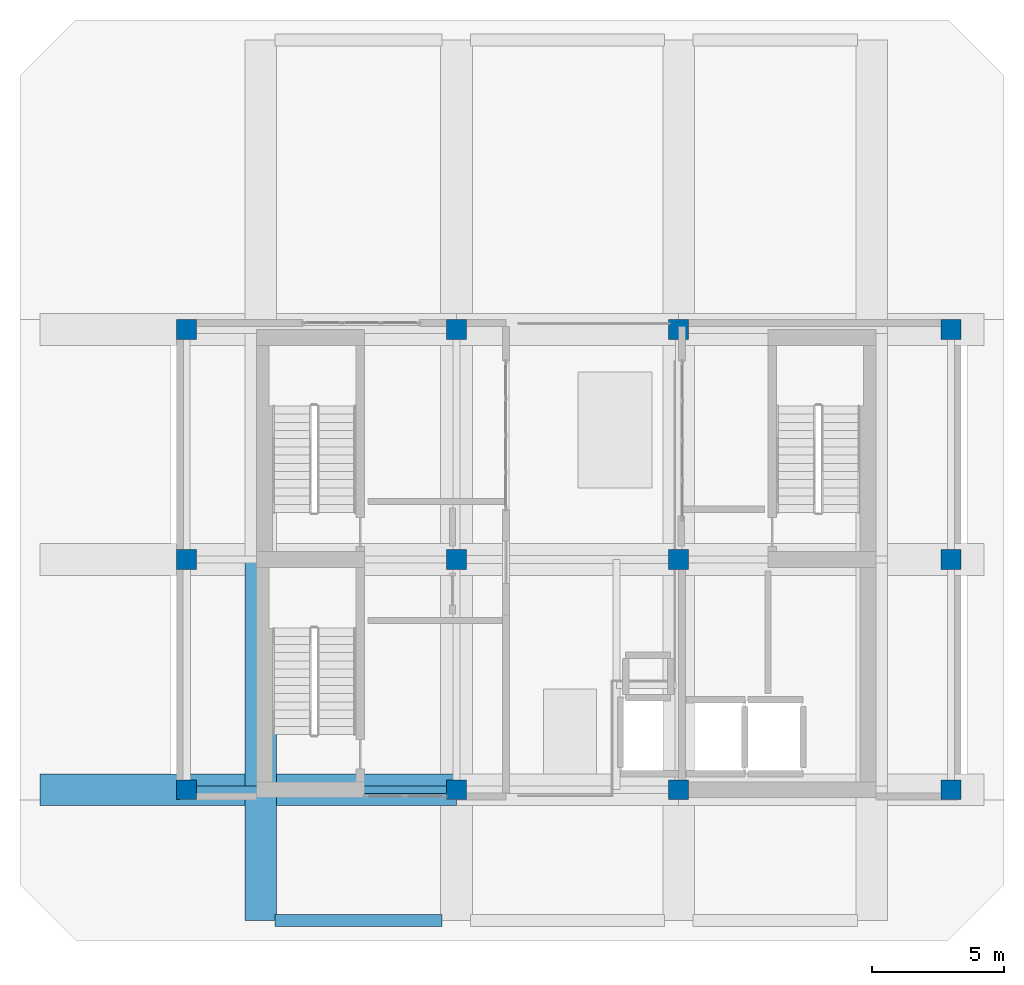
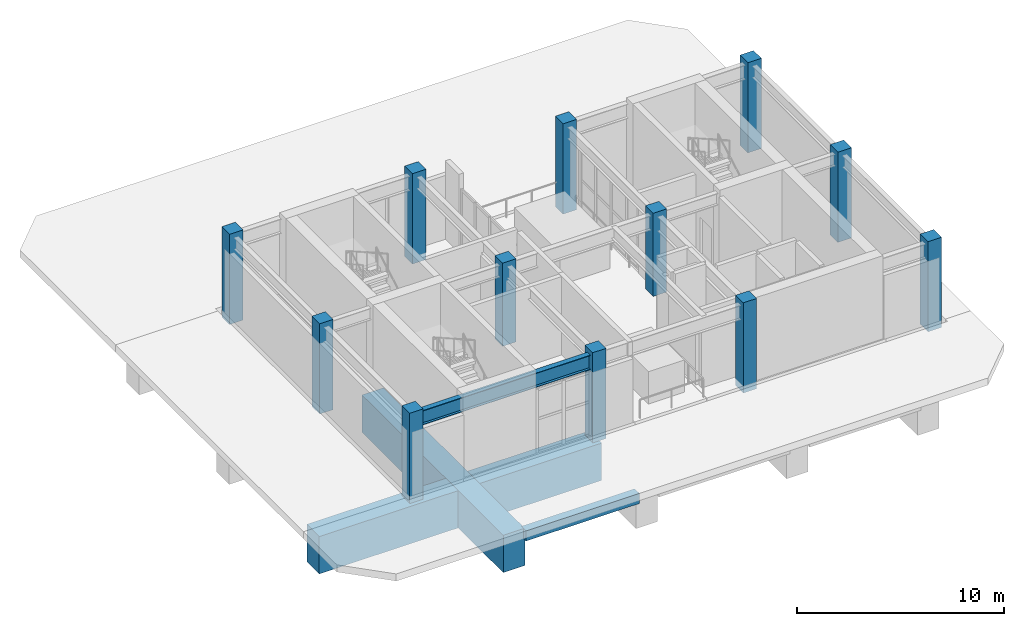
# One storey, part 1 of 16: 12 columns, 5 beams.
"""IFC4 building model written with IfcOpenShell, lengths in metres."""

from ifc_helpers import new_model, si_unit, direction, frame, origin, origin_2d, place, context, subcontext, project, spatial, rectangle, i_section, extrude, material, material_profile, profile_set, type_object, element, save


model = new_model("IFC4")

# Units and contexts
model_context = context("Model", 3, precision=1e-05, world=origin(), true_north=direction((0.0, 1.0)))
body_context = subcontext(model_context, "Body", "Model", "MODEL_VIEW")
ifc_project = project(units=[si_unit("LENGTHUNIT", "METRE"), si_unit("AREAUNIT", "SQUARE_METRE"), si_unit("VOLUMEUNIT", "CUBIC_METRE"), si_unit("PLANEANGLEUNIT", "RADIAN"), si_unit("MASSUNIT", "GRAM", prefix="KILO")], contexts=[model_context])

# Site, building, storey
site_placement = place(None, origin())
site = spatial("IfcSite", under=ifc_project, at=site_placement, CompositionType="ELEMENT")
building_placement = place(site_placement, origin())
building = spatial("IfcBuilding", under=site, at=building_placement, Name="Solanera Arch Residences", CompositionType="ELEMENT")
storey_placement = place(building_placement, frame((0.0, 0.0, 278.080078125)))
storey = spatial("IfcBuildingStorey", under=building, at=storey_placement, Name="L80", CompositionType="ELEMENT", Elevation=278.080078125)

# Columns
ifc_material_1 = material(Name="Concrete C40/50 (f'c = 45 MPa)", Category="concrete")
ifc_material_profile_1 = material_profile(ifc_material_1, rectangle(XDim=0.75, YDim=0.75, at=origin_2d()))
ifc_profile_set_1 = profile_set([ifc_material_profile_1], Name="Concrete C40/50 (f'c = 45 MPa)")
column_type = type_object("IfcColumnType", Name="Structural Column RC-COL-750X750", PredefinedType="COLUMN", material=ifc_profile_set_1)
for number, where, z_axis, x_axis, name in (
    (1, (20.800048828125, 30.699951171875, 0.0), (0.0, 0.0, 1.0), (1.0, 0.0, 0.0), "COL-L80-CORE-W"),
    (2, (29.199951171875, 30.699951171875, 0.0), (0.0, 0.0, 1.0), (1.0, 0.0, 0.0), "COL-L80-CORE-E"),
):
    element("IfcColumn", number, at=place(storey_placement, frame(where, z_axis=z_axis, x_axis=x_axis)), inside=storey, type_object=column_type, Name=name, PredefinedType="COLUMN", context=body_context, shape_type="SweptSolid", body=[
        extrude(rectangle(XDim=0.75, YDim=0.75, at=origin_2d()), origin(), (0.0, 0.0, 1.0), 4.89990234375),
    ])
for number, where, z_axis, x_axis, name in (
    (3, (10.60009765625, 22.0, -0.420166015625), (0.0, 0.0, 1.0), (1.0, 0.0, 0.0), "COL-L80-CRN-01"),
    (4, (20.800048828125, 22.0, -0.420166015625), (0.0, 0.0, 1.0), (1.0, 0.0, 0.0), "COL-L80-CRN-02"),
    (5, (10.60009765625, 30.699951171875, -0.420166015625), (0.0, 0.0, 1.0), (1.0, 0.0, 0.0), "COL-L80-CRN-03"),
    (6, (10.60009765625, 39.39990234375, -0.420166015625), (0.0, 0.0, 1.0), (1.0, 0.0, 0.0), "COL-L80-CRN-04"),
    (7, (20.800048828125, 39.39990234375, -0.420166015625), (0.0, 0.0, 1.0), (1.0, 0.0, 0.0), "COL-L80-CRN-05"),
    (8, (29.199951171875, 22.0, -0.420166015625), (0.0, 0.0, 1.0), (1.0, 0.0, 0.0), "COL-L80-CRN-06"),
    (9, (39.5, 22.0, -0.420166015625), (0.0, 0.0, 1.0), (1.0, 0.0, 0.0), "COL-L80-CRN-07"),
    (10, (39.5, 30.699951171875, -0.420166015625), (0.0, 0.0, 1.0), (1.0, 0.0, 0.0), "COL-L80-CRN-08"),
    (11, (29.199951171875, 39.39990234375, -0.420166015625), (0.0, 0.0, 1.0), (1.0, 0.0, 0.0), "COL-L80-CRN-09"),
    (12, (39.5, 39.39990234375, -0.420166015625), (0.0, 0.0, 1.0), (1.0, 0.0, 0.0), "COL-L80-CRN-10"),
):
    element("IfcColumn", number, at=place(storey_placement, frame(where, z_axis=z_axis, x_axis=x_axis)), inside=storey, type_object=column_type, Name=name, PredefinedType="COLUMN", context=body_context, shape_type="SweptSolid", body=[
        extrude(rectangle(XDim=0.75, YDim=0.75, at=origin_2d()), origin(), (0.0, 0.0, 1.0), 5.320068359375),
    ])

# Beams
ifc_material_2 = material(Name="Steel S355 (ASTM A992 / A572 Grade 50)", Category="steel")
ifc_material_profile_2 = material_profile(ifc_material_2, i_section(OverallWidth=0.2939453125, OverallDepth=0.85107421875, WebThickness=0.01611328125, FlangeThickness=0.02685546875, at=origin_2d()))
ifc_profile_set_2 = profile_set([ifc_material_profile_2], Name="Steel S355 (ASTM A992 / A572 Grade 50)")
beam_type_1 = type_object("IfcBeamType", Name="Primary Beam W840X226", PredefinedType="BEAM", material=ifc_profile_set_2)
beam_1_placement = place(storey_placement, frame((10.97509765625, 22.0, 4.19384765625), z_axis=(1.0, 0.0, 0.0), x_axis=(0.0, 1.0, 0.0)))
element("IfcBeam", 13, at=beam_1_placement, inside=storey, type_object=beam_type_1, Name="BM-L80-CR-WS", PredefinedType="BEAM", context=body_context, shape_type="SweptSolid", body=[
    extrude(i_section(OverallWidth=0.2939453125, OverallDepth=0.85107421875, WebThickness=0.01611328125, FlangeThickness=0.02685546875, at=origin_2d()), origin(), (0.0, 0.0, 1.0), 9.449951171875),
])
ifc_material_3 = material(Name="Concrete C40/50 (f'c = 45 MPa)", Category="concrete")
ifc_material_profile_3 = material_profile(ifc_material_3, rectangle(XDim=0.449951171875, YDim=0.60009765625, at=origin_2d()))
ifc_profile_set_3 = profile_set([ifc_material_profile_3], Name="Concrete C40/50 (f'c = 45 MPa)")
beam_type_2 = type_object("IfcBeamType", Name="Spandrel Beam RC-BM-450X600", PredefinedType="SPANDREL", material=ifc_profile_set_3)
beam_2_placement = place(storey_placement, frame((13.93994140625, 17.050048828125, -0.719970703125), z_axis=(1.0, 0.0, 0.0), x_axis=(0.0, 1.0, 0.0)))
element("IfcBeam", 14, at=beam_2_placement, inside=storey, type_object=beam_type_2, Name="BM-L80-CAP-S1", PredefinedType="SPANDREL", context=body_context, shape_type="SweptSolid", body=[
    extrude(rectangle(XDim=0.449951171875, YDim=0.60009765625, at=origin_2d()), origin(), (0.0, 0.0, 1.0), 6.320068359375),
])
ifc_material_4 = material(Name="Concrete C55/67 (f'c = 60 MPa)", Category="concrete")
ifc_material_profile_4 = material_profile(ifc_material_4, rectangle(XDim=1.199951171875, YDim=2.199951171875, at=origin_2d()))
ifc_profile_set_4 = profile_set([ifc_material_profile_4], Name="Concrete C55/67 (f'c = 60 MPa)")
beam_type_3 = type_object("IfcBeamType", Name="Transfer Girder RC-BM-1200X2200", PredefinedType="BEAM", material=ifc_profile_set_4)
beam_3_placement = place(storey_placement, frame((13.39990234375, 17.050048828125, -1.52001953125), z_axis=(0.0, 1.0, 0.0), x_axis=(-1.0, 0.0, 0.0)))
element("IfcBeam", 15, at=beam_3_placement, inside=storey, type_object=beam_type_3, Name="BM-L80-CRX-NSS-134", PredefinedType="BEAM", context=body_context, shape_type="SweptSolid", body=[
    extrude(rectangle(XDim=1.199951171875, YDim=2.199951171875, at=origin_2d()), origin(), (0.0, 0.0, 1.0), 13.64990234375),
])
beam_4_placement = place(storey_placement, frame((5.050048828125, 22.0, -1.52001953125), z_axis=(1.0, 0.0, 0.0), x_axis=(0.0, 1.0, 0.0)))
element("IfcBeam", 16, at=beam_4_placement, inside=storey, type_object=beam_type_3, Name="BM-L80-CRX-EWW-220", PredefinedType="BEAM", context=body_context, shape_type="SweptSolid", body=[
    extrude(rectangle(XDim=1.199951171875, YDim=2.199951171875, at=origin_2d()), origin(), (0.0, 0.0, 1.0), 7.75),
])
beam_5_placement = place(storey_placement, frame((14.0, 22.0, -1.52001953125), z_axis=(1.0, 0.0, 0.0), x_axis=(0.0, 1.0, 0.0)))
element("IfcBeam", 17, at=beam_5_placement, inside=storey, type_object=beam_type_3, Name="BM-L80-CRX-EWCW-220", PredefinedType="BEAM", context=body_context, shape_type="SweptSolid", body=[
    extrude(rectangle(XDim=1.199951171875, YDim=2.199951171875, at=origin_2d()), origin(), (0.0, 0.0, 1.0), 6.800048828125),
])

save(model, "model.ifc")
